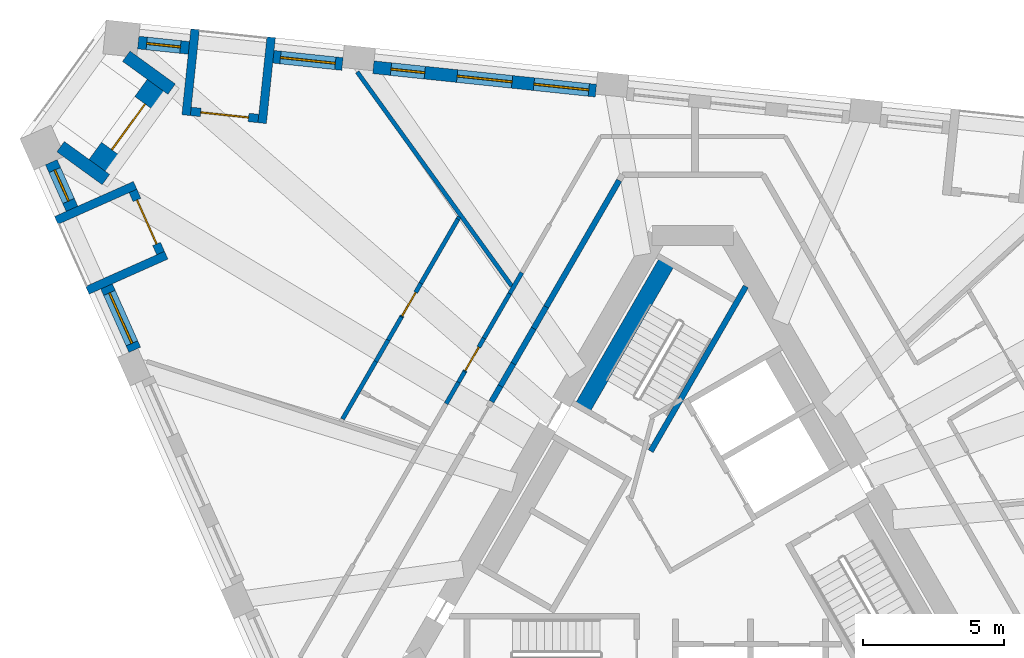
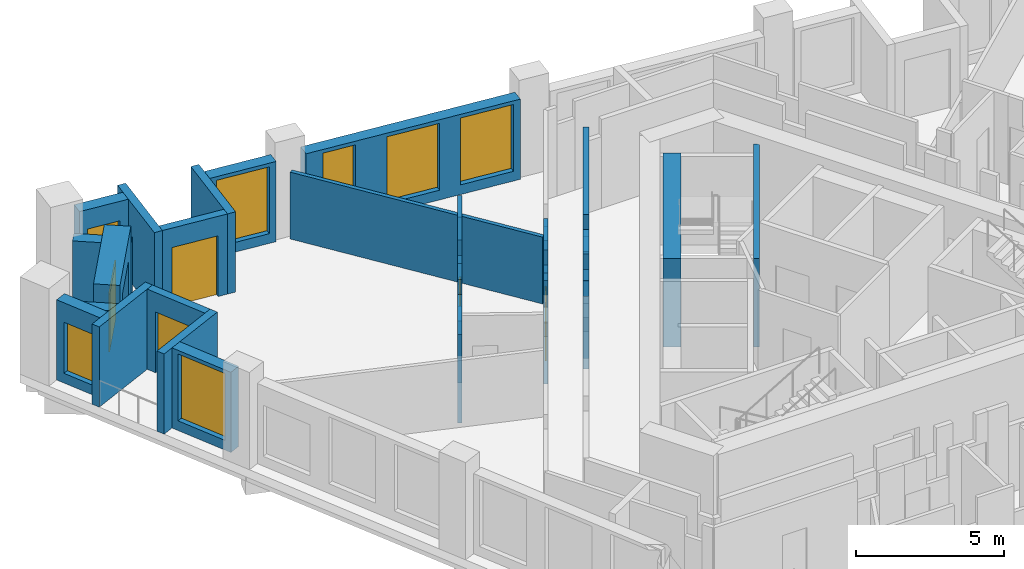
# One storey, part 6 of 11: 33 walls, 7 windows, 5 doors, 12 openings.
"""IFC4 building model written with IfcOpenShell, lengths in metres."""

from ifc_helpers import new_model, si_unit, direction, frame, frame_2d, origin, place, context, subcontext, project, spatial, polyline, rectangle, outline, extrude, material, layer, layer_set, type_object, element, fill, save


model = new_model("IFC4")

# Units and contexts
model_context = context("Model", 3, precision=1e-05, world=origin(), true_north=direction((0.0, 1.0)))
body_context = subcontext(model_context, "Body", "Model", "MODEL_VIEW")
ifc_project = project(units=[si_unit("LENGTHUNIT", "METRE"), si_unit("AREAUNIT", "SQUARE_METRE"), si_unit("VOLUMEUNIT", "CUBIC_METRE"), si_unit("PLANEANGLEUNIT", "RADIAN"), si_unit("MASSUNIT", "GRAM", prefix="KILO")], contexts=[model_context])

# Site, building, storey
site_placement = place(None, origin())
site = spatial("IfcSite", under=ifc_project, at=site_placement, CompositionType="ELEMENT")
building_placement = place(site_placement, origin())
building = spatial("IfcBuilding", under=site, at=building_placement, Name="Tramontana Tower", CompositionType="ELEMENT")
storey_placement = place(building_placement, frame((0.0, 0.0, 241.199951171875)))
storey = spatial("IfcBuildingStorey", under=building, at=storey_placement, Name="L56", CompositionType="ELEMENT", Elevation=241.199951171875)

# Walls
ifc_material_1 = material(Name="Blockwork", Category="masonry")
ifc_layer_1 = layer(ifc_material_1, 0.199951171875)
ifc_layer_set_1 = layer_set([ifc_layer_1], Name="ENTRY WALL 200")
wall_type_1 = type_object("IfcWallType", Name="ENTRY WALL 200", PredefinedType="SOLIDWALL", material=ifc_layer_set_1)
wall_1_placement = place(storey_placement, frame((-7.11181640625, 4.78173828125, 0.0), z_axis=(0.0, 0.0, 1.0), x_axis=(0.499956208541, 0.866050685319, 0.0)))
element("IfcWall", 1, at=wall_1_placement, inside=storey, type_object=wall_type_1, Name="Wall v60-ew3-6", PredefinedType="SOLIDWALL", context=body_context, shape_type="SweptSolid", body=[
    extrude(rectangle(XDim=0.6328125, YDim=0.199951171875, at=frame_2d((0.31640625, 0.0))), origin(), (0.0, 0.0, 1.0), 3.650146484375),
])
wall_2_placement = place(storey_placement, frame((-6.79541015625, 5.329833984375, 0.0), z_axis=(0.0, 0.0, 1.0), x_axis=(0.499975954304, 0.866039286129, 0.0)))
element("IfcWall", 2, at=wall_2_placement, inside=storey, type_object=wall_type_1, Name="Wall v60-ew3-7", PredefinedType="SOLIDWALL", context=body_context, shape_type="SweptSolid", body=[
    extrude(rectangle(XDim=0.9169921875, YDim=0.199951171875, at=frame_2d((0.45849609375, 0.0))), origin(), (0.0, 0.0, 1.0), 2.550048828125),
])
wall_3_placement = place(storey_placement, frame((-6.3369140625, 6.1240234375, 0.0), z_axis=(0.0, 0.0, 1.0), x_axis=(0.499904796234, 0.866080362727, 0.0)))
element("IfcWall", 3, at=wall_3_placement, inside=storey, type_object=wall_type_1, Name="Wall v60-ew3-8", PredefinedType="SOLIDWALL", context=body_context, shape_type="SweptSolid", body=[
    extrude(rectangle(XDim=1.429443359375, YDim=0.199951171875, at=frame_2d((0.71484375, 0.0))), origin(), (0.0, 0.0, 1.0), 3.650146484375),
])
wall_4_placement = place(storey_placement, frame((-5.622314453125, 7.362060546875, 0.0), z_axis=(0.0, 0.0, 1.0), x_axis=(0.500121072013, 0.86595549154, 0.0)))
element("IfcWall", 4, at=wall_4_placement, inside=storey, type_object=wall_type_1, Name="Wall v60-ew3-9", PredefinedType="SOLIDWALL", context=body_context, shape_type="SweptSolid", body=[
    extrude(rectangle(XDim=0.883544921875, YDim=0.199951171875, at=frame_2d((0.44189453125, 0.0))), origin(), (0.0, 0.0, 1.0), 2.75),
])
wall_5_placement = place(storey_placement, frame((-5.180419921875, 8.127197265625, 0.0), z_axis=(0.0, 0.0, 1.0), x_axis=(0.499995433041, 0.866028040503, 0.0)))
element("IfcWall", 5, at=wall_5_placement, inside=storey, type_object=wall_type_1, Name="Wall v60-ew3-10", PredefinedType="SOLIDWALL", context=body_context, shape_type="SweptSolid", body=[
    extrude(rectangle(XDim=5.1611328125, YDim=0.199951171875, at=frame_2d((2.58056640625, 0.0))), origin(), (0.0, 0.0, 1.0), 3.650146484375),
])

# Wall, opening, window
ifc_material_2 = material(Name="Precast concrete 60 MPa", Category="concrete")
ifc_layer_2 = layer(ifc_material_2, 0.449951171875)
ifc_layer_set_2 = layer_set([ifc_layer_2], Name="Precast concrete 60 MPa, 450 mm")
wall_type_2 = type_object("IfcWallType", Name="EW1 Stone-faced precast wall 450", PredefinedType="SOLIDWALL", material=ifc_layer_set_2)
wall_6_placement = place(storey_placement, frame((-22.67041015625, 13.240478515625, 0.0), z_axis=(0.0, 0.0, 1.0), x_axis=(0.406779346191, -0.913526443795, 0.0)))
wall_6 = element("IfcWall", 6, at=wall_6_placement, inside=storey, type_object=wall_type_2, Name="External wall L56 face 0 bay 1", PredefinedType="SOLIDWALL", context=body_context, shape_type="SweptSolid", body=[
    extrude(rectangle(XDim=1.80224609375, YDim=0.449951171875, at=frame_2d((0.901123046875, 0.0))), origin(), (0.0, 0.0, 1.0), 3.300048828125),
])
opening_1_placement = place(wall_6_placement, frame((0.301025390625, 0.0, 0.39990234375)))
opening_1 = element("IfcOpeningElement", 7, at=opening_1_placement, cuts=wall_6, Name="Opening N3L", PredefinedType="OPENING", context=body_context, shape_type="SweptSolid", body=[
    extrude(rectangle(XDim=1.199951171875, YDim=2.10009765625, at=frame_2d((0.60009765625, 1.050048828125))), frame((0.0, 0.23486328125, 0.0), z_axis=(0.0, -1.0, 0.0), x_axis=(1.0, 0.0, 0.0)), (0.0, 0.0, 1.0), 0.469970703125),
])
ifc_material_3 = material(Name="Aluminum frame, double glazing unit", Category="aluminium")
window_type_1 = type_object("IfcWindowType", Name="N3L Window 1.2 x 2.1", PartitioningType="SINGLE_PANEL", PredefinedType="WINDOW", material=ifc_material_3)
window_1_placement = place(opening_1_placement, origin())
window_1 = element("IfcWindow", 8, at=window_1_placement, inside=storey, type_object=window_type_1, Name="Window N3L L56 face 0 module 1", OverallHeight=2.10009765625, OverallWidth=1.199951171875, PartitioningType="SINGLE_PANEL", PredefinedType="WINDOW", context=body_context, shape_type="SweptSolid", body=[
    extrude(rectangle(XDim=1.199951171875, YDim=2.10009765625, at=frame_2d((0.60009765625, 1.050048828125))), frame((0.0, 0.030029296875, 0.0), z_axis=(0.0, -1.0, 0.0), x_axis=(1.0, 0.0, 0.0)), (0.0, 0.0, 1.0), 0.06005859375),
])
fill(opening_1, window_1)

wall_7_placement = place(storey_placement, frame((-20.71630859375, 8.851318359375, 0.0), z_axis=(0.0, 0.0, 1.0), x_axis=(0.406821962592, -0.913507466172, 0.0)))
wall_7 = element("IfcWall", 9, at=wall_7_placement, inside=storey, type_object=wall_type_2, Name="External wall L56 face 0 bay 1", PredefinedType="SOLIDWALL", context=body_context, shape_type="SweptSolid", body=[
    extrude(rectangle(XDim=2.4521484375, YDim=0.449951171875, at=frame_2d((1.22607421875, 0.0))), origin(), (0.0, 0.0, 1.0), 3.300048828125),
])
opening_2_placement = place(wall_7_placement, frame((0.251220703125, 0.0, 0.39990234375)))
opening_2 = element("IfcOpeningElement", 10, at=opening_2_placement, cuts=wall_7, Name="Opening M3", PredefinedType="OPENING", context=body_context, shape_type="SweptSolid", body=[
    extrude(rectangle(XDim=1.949951171875, YDim=2.75, at=frame_2d((0.97509765625, 1.375))), frame((0.0, 0.23486328125, 0.0), z_axis=(0.0, -1.0, 0.0), x_axis=(1.0, 0.0, 0.0)), (0.0, 0.0, 1.0), 0.469970703125),
])
ifc_material_4 = material(Name="Aluminum frame, double glazing unit", Category="aluminium")
window_type_2 = type_object("IfcWindowType", Name="M3 Window 1.95 x 2.75", PartitioningType="SINGLE_PANEL", PredefinedType="WINDOW", material=ifc_material_4)
window_2_placement = place(opening_2_placement, origin())
window_2 = element("IfcWindow", 11, at=window_2_placement, inside=storey, type_object=window_type_2, Name="Window M3 L56 face 0 module 3", OverallHeight=2.75, OverallWidth=1.949951171875, PartitioningType="SINGLE_PANEL", PredefinedType="WINDOW", context=body_context, shape_type="SweptSolid", body=[
    extrude(rectangle(XDim=1.949951171875, YDim=2.75, at=frame_2d((0.97509765625, 1.375))), frame((0.0, 0.030029296875, 0.0), z_axis=(0.0, -1.0, 0.0), x_axis=(1.0, 0.0, 0.0)), (0.0, 0.0, 1.0), 0.06005859375),
])
fill(opening_2, window_2)

# Wall, openings, windows
wall_8_placement = place(storey_placement, frame((-3.423828125, 15.769287109375, 0.0), z_axis=(0.0, 0.0, 1.0), x_axis=(-0.994522528385, 0.104522440343, 0.0)))
wall_8 = element("IfcWall", 12, at=wall_8_placement, inside=storey, type_object=wall_type_2, Name="External wall L56 face 2 bay 4", PredefinedType="SOLIDWALL", context=body_context, shape_type="SweptSolid", body=[
    extrude(rectangle(XDim=7.906494140625, YDim=0.449951171875, at=frame_2d((3.953125, 0.0))), origin(), (0.0, 0.0, 1.0), 3.300048828125),
])
opening_3_placement = place(wall_8_placement, frame((0.251220703125, 0.0, 0.39990234375)))
opening_3 = element("IfcOpeningElement", 13, at=opening_3_placement, cuts=wall_8, Name="Opening M3", PredefinedType="OPENING", context=body_context, shape_type="SweptSolid", body=[
    extrude(rectangle(XDim=1.949951171875, YDim=2.75, at=frame_2d((0.97509765625, 1.375))), frame((0.0, 0.23486328125, 0.0), z_axis=(0.0, -1.0, 0.0), x_axis=(1.0, 0.0, 0.0)), (0.0, 0.0, 1.0), 0.469970703125),
])
opening_4_placement = place(wall_8_placement, frame((2.978271484375, 0.0, 0.39990234375)))
opening_4 = element("IfcOpeningElement", 14, at=opening_4_placement, cuts=wall_8, Name="Opening M3", PredefinedType="OPENING", context=body_context, shape_type="SweptSolid", body=[
    extrude(rectangle(XDim=1.949951171875, YDim=2.75, at=frame_2d((0.97509765625, 1.375))), frame((0.0, 0.23486328125, 0.0), z_axis=(0.0, -1.0, 0.0), x_axis=(1.0, 0.0, 0.0)), (0.0, 0.0, 1.0), 0.469970703125),
])
opening_5_placement = place(wall_8_placement, frame((6.08056640625, 0.0, 0.39990234375)))
opening_5 = element("IfcOpeningElement", 15, at=opening_5_placement, cuts=wall_8, Name="Opening N3", PredefinedType="OPENING", context=body_context, shape_type="SweptSolid", body=[
    extrude(rectangle(XDim=1.199951171875, YDim=2.75, at=frame_2d((0.60009765625, 1.375))), frame((0.0, 0.23486328125, 0.0), z_axis=(0.0, -1.0, 0.0), x_axis=(1.0, 0.0, 0.0)), (0.0, 0.0, 1.0), 0.469970703125),
])
window_3_placement = place(opening_3_placement, origin())
window_3 = element("IfcWindow", 16, at=window_3_placement, inside=storey, type_object=window_type_2, Name="Window M3 L56 face 2 module 10", OverallHeight=2.75, OverallWidth=1.949951171875, PartitioningType="SINGLE_PANEL", PredefinedType="WINDOW", context=body_context, shape_type="SweptSolid", body=[
    extrude(rectangle(XDim=1.949951171875, YDim=2.75, at=frame_2d((0.97509765625, 1.375))), frame((0.0, 0.030029296875, 0.0), z_axis=(0.0, -1.0, 0.0), x_axis=(1.0, 0.0, 0.0)), (0.0, 0.0, 1.0), 0.06005859375),
])
fill(opening_3, window_3)
window_4_placement = place(opening_4_placement, origin())
window_4 = element("IfcWindow", 17, at=window_4_placement, inside=storey, type_object=window_type_2, Name="Window M3 L56 face 2 module 11", OverallHeight=2.75, OverallWidth=1.949951171875, PartitioningType="SINGLE_PANEL", PredefinedType="WINDOW", context=body_context, shape_type="SweptSolid", body=[
    extrude(rectangle(XDim=1.949951171875, YDim=2.75, at=frame_2d((0.97509765625, 1.375))), frame((0.0, 0.030029296875, 0.0), z_axis=(0.0, -1.0, 0.0), x_axis=(1.0, 0.0, 0.0)), (0.0, 0.0, 1.0), 0.06005859375),
])
fill(opening_4, window_4)
ifc_material_5 = material(Name="Aluminum frame, double glazing unit", Category="aluminium")
window_type_3 = type_object("IfcWindowType", Name="N3 Window 1.2 x 2.75", PartitioningType="SINGLE_PANEL", PredefinedType="WINDOW", material=ifc_material_5)
window_5_placement = place(opening_5_placement, origin())
window_5 = element("IfcWindow", 18, at=window_5_placement, inside=storey, type_object=window_type_3, Name="Window N3 L56 face 2 module 12", OverallHeight=2.75, OverallWidth=1.199951171875, PartitioningType="SINGLE_PANEL", PredefinedType="WINDOW", context=body_context, shape_type="SweptSolid", body=[
    extrude(rectangle(XDim=1.199951171875, YDim=2.75, at=frame_2d((0.60009765625, 1.375))), frame((0.0, 0.030029296875, 0.0), z_axis=(0.0, -1.0, 0.0), x_axis=(1.0, 0.0, 0.0)), (0.0, 0.0, 1.0), 0.06005859375),
])
fill(opening_5, window_5)

# Wall, opening, window
wall_9_placement = place(storey_placement, frame((-12.381103515625, 16.710693359375, 0.0), z_axis=(0.0, 0.0, 1.0), x_axis=(-0.994520717537, 0.104539668977, 0.0)))
wall_9 = element("IfcWall", 19, at=wall_9_placement, inside=storey, type_object=wall_type_2, Name="External wall L56 face 2 bay 5", PredefinedType="SOLIDWALL", context=body_context, shape_type="SweptSolid", body=[
    extrude(rectangle(XDim=2.4521484375, YDim=0.449951171875, at=frame_2d((1.22607421875, 0.0))), origin(), (0.0, 0.0, 1.0), 3.300048828125),
])
opening_6_placement = place(wall_9_placement, frame((0.251220703125, 0.0, 0.39990234375)))
opening_6 = element("IfcOpeningElement", 20, at=opening_6_placement, cuts=wall_9, Name="Opening M3", PredefinedType="OPENING", context=body_context, shape_type="SweptSolid", body=[
    extrude(rectangle(XDim=1.949951171875, YDim=2.75, at=frame_2d((0.97509765625, 1.375))), frame((0.0, 0.23486328125, 0.0), z_axis=(0.0, -1.0, 0.0), x_axis=(1.0, 0.0, 0.0)), (0.0, 0.0, 1.0), 0.469970703125),
])
window_6_placement = place(opening_6_placement, origin())
window_6 = element("IfcWindow", 21, at=window_6_placement, inside=storey, type_object=window_type_2, Name="Window M3 L56 face 2 module 13", OverallHeight=2.75, OverallWidth=1.949951171875, PartitioningType="SINGLE_PANEL", PredefinedType="WINDOW", context=body_context, shape_type="SweptSolid", body=[
    extrude(rectangle(XDim=1.949951171875, YDim=2.75, at=frame_2d((0.97509765625, 1.375))), frame((0.0, 0.030029296875, 0.0), z_axis=(0.0, -1.0, 0.0), x_axis=(1.0, 0.0, 0.0)), (0.0, 0.0, 1.0), 0.06005859375),
])
fill(opening_6, window_6)

wall_10_placement = place(storey_placement, frame((-17.8056640625, 17.28076171875, 0.0), z_axis=(0.0, 0.0, 1.0), x_axis=(-0.994515840559, 0.104586054885, 0.0)))
wall_10 = element("IfcWall", 22, at=wall_10_placement, inside=storey, type_object=wall_type_2, Name="External wall L56 face 2 bay 5", PredefinedType="SOLIDWALL", context=body_context, shape_type="SweptSolid", body=[
    extrude(rectangle(XDim=1.802001953125, YDim=0.449951171875, at=frame_2d((0.90087890625, 0.0))), origin(), (0.0, 0.0, 1.0), 3.300048828125),
])
opening_7_placement = place(wall_10_placement, frame((0.301025390625, 0.0, 0.39990234375)))
opening_7 = element("IfcOpeningElement", 23, at=opening_7_placement, cuts=wall_10, Name="Opening N3L", PredefinedType="OPENING", context=body_context, shape_type="SweptSolid", body=[
    extrude(rectangle(XDim=1.199951171875, YDim=2.10009765625, at=frame_2d((0.60009765625, 1.050048828125))), frame((0.0, 0.23486328125, 0.0), z_axis=(0.0, -1.0, 0.0), x_axis=(1.0, 0.0, 0.0)), (0.0, 0.0, 1.0), 0.469970703125),
])
window_7_placement = place(opening_7_placement, origin())
window_7 = element("IfcWindow", 24, at=window_7_placement, inside=storey, type_object=window_type_1, Name="Window N3L L56 face 2 module 15", OverallHeight=2.10009765625, OverallWidth=1.199951171875, PartitioningType="SINGLE_PANEL", PredefinedType="WINDOW", context=body_context, shape_type="SweptSolid", body=[
    extrude(rectangle(XDim=1.199951171875, YDim=2.10009765625, at=frame_2d((0.60009765625, 1.050048828125))), frame((0.0, 0.030029296875, 0.0), z_axis=(0.0, -1.0, 0.0), x_axis=(1.0, 0.0, 0.0)), (0.0, 0.0, 1.0), 0.06005859375),
])
fill(opening_7, window_7)

# Walls
for number, where, z_axis, x_axis, name in (
    (25, (-22.34033203125, 13.7900390625, 0.0), (0.0, 0.0, 1.0), (0.809040012586, -0.587753569138, 0.0), "Corner loggia side wall L56 K60l"),
    (26, (-20.0185546875, 16.985595703125, 0.0), (0.0, 0.0, 1.0), (0.809040012586, -0.587753569138, 0.0), "Corner loggia side wall L56 K60r"),
):
    element("IfcWall", number, at=place(storey_placement, frame(where, z_axis=z_axis, x_axis=x_axis)), inside=storey, type_object=wall_type_2, Name=name, PredefinedType="SOLIDWALL", context=body_context, shape_type="SweptSolid", body=[
        extrude(rectangle(XDim=1.979248046875, YDim=0.449951171875, at=frame_2d((0.98974609375, 0.0))), origin(), (0.0, 0.0, 1.0), 2.550048828125),
    ])

# Wall, opening, door
ifc_material_6 = material(Name="Precast concrete 60 MPa", Category="concrete")
ifc_layer_3 = layer(ifc_material_6, 0.89990234375)
ifc_layer_set_3 = layer_set([ifc_layer_3], Name="EW2 Stone-faced corner loggia wall 900")
wall_type_3 = type_object("IfcWallType", Name="EW2 Stone-faced corner loggia wall 900", PredefinedType="SOLIDWALL", material=ifc_layer_set_3)
wall_11_placement = place(storey_placement, frame((-20.970947265625, 13.0732421875, 0.0), z_axis=(0.0, 0.0, 1.0), x_axis=(0.587810807352, 0.808998426921, 0.0)))
wall_11 = element("IfcWall", 27, at=wall_11_placement, inside=storey, type_object=wall_type_3, Name="Corner loggia wall L56 K60", PredefinedType="SOLIDWALL", context=body_context, shape_type="SweptSolid", body=[
    extrude(rectangle(XDim=3.5, YDim=0.89990234375, at=frame_2d((1.75, 0.0))), origin(), (0.0, 0.0, 1.0), 3.300048828125),
])
opening_8_placement = place(wall_11_placement, frame((0.75, 0.0, 0.0)))
opening_8 = element("IfcOpeningElement", 28, at=opening_8_placement, cuts=wall_11, Name="Opening BD-60C", PredefinedType="OPENING", context=body_context, shape_type="SweptSolid", body=[
    extrude(rectangle(XDim=2.0, YDim=2.39990234375, at=frame_2d((1.0, 1.199951171875))), frame((0.0, 0.4599609375, 0.0), z_axis=(0.0, -1.0, 0.0), x_axis=(1.0, 0.0, 0.0)), (0.0, 0.0, 1.0), 0.919921875),
])
ifc_material_7 = material(Name="Aluminum frame, double glazing unit", Category="aluminium")
door_type_1 = type_object("IfcDoorType", Name="BC1 Sliding door 2 x 2.4", OperationType="SLIDING_TO_LEFT", PredefinedType="DOOR", material=ifc_material_7)
door_1_placement = place(opening_8_placement, origin())
door_1 = element("IfcDoor", 29, at=door_1_placement, inside=storey, type_object=door_type_1, Name="Corner loggia door L56 K60", OperationType="SLIDING_TO_LEFT", OverallHeight=2.39990234375, OverallWidth=2.0, PredefinedType="DOOR", context=body_context, shape_type="SweptSolid", body=[
    extrude(rectangle(XDim=2.0, YDim=2.39990234375, at=frame_2d((1.0, 1.199951171875))), frame((0.0, 0.02490234375, 0.0), z_axis=(0.0, -1.0, 0.0), x_axis=(1.0, 0.0, 0.0)), (0.0, 0.0, 1.0), 0.050048828125),
])
fill(opening_8, door_1)

ifc_material_8 = material(Name="Precast concrete 60 MPa", Category="concrete")
ifc_layer_4 = layer(ifc_material_8, 0.300048828125)
ifc_layer_set_4 = layer_set([ifc_layer_4], Name="LW1 Stone-faced loggia wall 300")
wall_type_4 = type_object("IfcWallType", Name="LW1 Stone-faced loggia wall 300", PredefinedType="SOLIDWALL", material=ifc_layer_set_4)
wall_12_placement = place(storey_placement, frame((-19.78271484375, 12.22509765625, 0.0), z_axis=(0.0, 0.0, 1.0), x_axis=(0.406723017018, -0.913551524232, 0.0)))
wall_12 = element("IfcWall", 30, at=wall_12_placement, inside=storey, type_object=wall_type_4, Name="Loggia wall L56 G6S0.1", PredefinedType="SOLIDWALL", context=body_context, shape_type="SweptSolid", body=[
    extrude(rectangle(XDim=2.40234375, YDim=0.300048828125, at=frame_2d((1.201171875, 0.0))), origin(), (0.0, 0.0, 1.0), 3.300048828125),
])
opening_9_placement = place(wall_12_placement, frame((0.35107421875, 0.0, 0.0)))
opening_9 = element("IfcOpeningElement", 31, at=opening_9_placement, cuts=wall_12, Name="Opening BD-6S0-01", PredefinedType="OPENING", context=body_context, shape_type="SweptSolid", body=[
    extrude(rectangle(XDim=1.699951171875, YDim=2.5, at=frame_2d((0.85009765625, 1.25))), frame((0.0, 0.159912109375, 0.0), z_axis=(0.0, -1.0, 0.0), x_axis=(1.0, 0.0, 0.0)), (0.0, 0.0, 1.0), 0.320068359375),
])
ifc_material_9 = material(Name="Aluminum frame, double glazing unit", Category="aluminium")
door_type_2 = type_object("IfcDoorType", Name="BD3 Sliding door 1.7 x 2.5", OperationType="SLIDING_TO_LEFT", PredefinedType="DOOR", material=ifc_material_9)
door_2_placement = place(opening_9_placement, origin())
door_2 = element("IfcDoor", 32, at=door_2_placement, inside=storey, type_object=door_type_2, Name="Loggia door L56 G6S0.1", OperationType="SLIDING_TO_LEFT", OverallHeight=2.5, OverallWidth=1.699951171875, PredefinedType="DOOR", context=body_context, shape_type="SweptSolid", body=[
    extrude(rectangle(XDim=1.699951171875, YDim=2.5, at=frame_2d((0.85009765625, 1.25))), frame((0.0, 0.02490234375, 0.0), z_axis=(0.0, -1.0, 0.0), x_axis=(1.0, 0.0, 0.0)), (0.0, 0.0, 1.0), 0.050048828125),
])
fill(opening_9, door_2)

# Walls
wall_13_placement = place(storey_placement, frame((-22.492919921875, 11.1826171875, 0.0), z_axis=(0.0, 0.0, 1.0), x_axis=(0.913557205168, 0.406710256677, 0.0)))
element("IfcWall", 33, at=wall_13_placement, inside=storey, type_object=wall_type_4, Name="Loggia return L56 G6S0.1a", PredefinedType="SOLIDWALL", context=body_context, shape_type="SweptSolid", body=[
    extrude(rectangle(XDim=3.050048828125, YDim=0.300048828125, at=frame_2d((1.52490234375, 0.0))), origin(), (0.0, 0.0, 1.0), 3.300048828125),
])
wall_14_placement = place(storey_placement, frame((-21.393798828125, 8.7138671875, 0.0), z_axis=(0.0, 0.0, 1.0), x_axis=(0.91354396316, 0.406739999721, 0.0)))
element("IfcWall", 34, at=wall_14_placement, inside=storey, type_object=wall_type_4, Name="Loggia return L56 G6S0.1b", PredefinedType="SOLIDWALL", context=body_context, shape_type="SweptSolid", body=[
    extrude(rectangle(XDim=3.0498046875, YDim=0.300048828125, at=frame_2d((1.52490234375, 0.0))), origin(), (0.0, 0.0, 1.0), 3.300048828125),
])

# Wall, opening, door
wall_15_placement = place(storey_placement, frame((-15.350830078125, 14.78564453125, 0.0), z_axis=(0.0, 0.0, 1.0), x_axis=(-0.994526595554, 0.104483734311, 0.0)))
wall_15 = element("IfcWall", 35, at=wall_15_placement, inside=storey, type_object=wall_type_4, Name="Loggia wall L56 G6S2.13", PredefinedType="SOLIDWALL", context=body_context, shape_type="SweptSolid", body=[
    extrude(rectangle(XDim=2.402099609375, YDim=0.300048828125, at=frame_2d((1.201171875, 0.0))), origin(), (0.0, 0.0, 1.0), 3.300048828125),
])
opening_10_placement = place(wall_15_placement, frame((0.35107421875, 0.0, 0.0)))
opening_10 = element("IfcOpeningElement", 36, at=opening_10_placement, cuts=wall_15, Name="Opening BD-6S2-13", PredefinedType="OPENING", context=body_context, shape_type="SweptSolid", body=[
    extrude(rectangle(XDim=1.699951171875, YDim=2.5, at=frame_2d((0.85009765625, 1.25))), frame((0.0, 0.159912109375, 0.0), z_axis=(0.0, -1.0, 0.0), x_axis=(1.0, 0.0, 0.0)), (0.0, 0.0, 1.0), 0.320068359375),
])
door_3_placement = place(opening_10_placement, origin())
door_3 = element("IfcDoor", 37, at=door_3_placement, inside=storey, type_object=door_type_2, Name="Loggia door L56 G6S2.13", OperationType="SLIDING_TO_LEFT", OverallHeight=2.5, OverallWidth=1.699951171875, PredefinedType="DOOR", context=body_context, shape_type="SweptSolid", body=[
    extrude(rectangle(XDim=1.699951171875, YDim=2.5, at=frame_2d((0.85009765625, 1.25))), frame((0.0, 0.02490234375, 0.0), z_axis=(0.0, -1.0, 0.0), x_axis=(1.0, 0.0, 0.0)), (0.0, 0.0, 1.0), 0.050048828125),
])
fill(opening_10, door_3)

# Walls
wall_16_placement = place(storey_placement, frame((-14.8984375, 17.654052734375, 0.0), z_axis=(0.0, 0.0, 1.0), x_axis=(-0.104543108891, -0.994520355942, 0.0)))
element("IfcWall", 38, at=wall_16_placement, inside=storey, type_object=wall_type_4, Name="Loggia return L56 G6S2.13a", PredefinedType="SOLIDWALL", context=body_context, shape_type="SweptSolid", body=[
    extrude(rectangle(XDim=3.0498046875, YDim=0.300048828125, at=frame_2d((1.52490234375, 0.0))), origin(), (0.0, 0.0, 1.0), 3.300048828125),
])
wall_17_placement = place(storey_placement, frame((-17.5859375, 17.9365234375, 0.0), z_axis=(0.0, 0.0, 1.0), x_axis=(-0.104534786906, -0.994521230707, 0.0)))
element("IfcWall", 39, at=wall_17_placement, inside=storey, type_object=wall_type_4, Name="Loggia return L56 G6S2.13b", PredefinedType="SOLIDWALL", context=body_context, shape_type="SweptSolid", body=[
    extrude(rectangle(XDim=3.050048828125, YDim=0.300048828125, at=frame_2d((1.52490234375, 0.0))), origin(), (0.0, 0.0, 1.0), 3.300048828125),
])
ifc_material_10 = material(Name="Gypsum board partition")
ifc_layer_5 = layer(ifc_material_10, 0.14990234375)
ifc_layer_set_5 = layer_set([ifc_layer_5], Name="PARTITION 150")
wall_type_5 = type_object("IfcWallType", Name="PARTITION 150", PredefinedType="PARTITIONING", material=ifc_layer_set_5)
wall_18_placement = place(storey_placement, frame((-8.714111328125, 4.70654296875, 0.0), z_axis=(0.0, 0.0, 1.0), x_axis=(0.499859285417, 0.866106630146, 0.0)))
element("IfcWall", 40, at=wall_18_placement, inside=storey, type_object=wall_type_5, Name="Wall v60-pw00-5", PredefinedType="PARTITIONING", context=body_context, shape_type="SweptSolid", body=[
    extrude(rectangle(XDim=0.875244140625, YDim=0.14990234375, at=frame_2d((0.4375, 0.0))), origin(), (0.0, 0.0, 1.0), 2.550048828125),
])
wall_19_placement = place(storey_placement, frame((-8.276611328125, 5.464599609375, 0.0), z_axis=(0.0, 0.0, 1.0), x_axis=(0.500116443366, 0.865958164737, 0.0)))
element("IfcWall", 41, at=wall_19_placement, inside=storey, type_object=wall_type_5, Name="Wall v60-pw00-6", PredefinedType="PARTITIONING", context=body_context, shape_type="SweptSolid", body=[
    extrude(rectangle(XDim=0.42919921875, YDim=0.14990234375, at=frame_2d((0.214599609375, 0.0))), origin(), (0.0, 0.0, 1.0), 3.650146484375),
])

# Wall, opening, door
wall_20_placement = place(storey_placement, frame((-8.06201171875, 5.836181640625, 0.0), z_axis=(0.0, 0.0, 1.0), x_axis=(0.499970382458, 0.866042502805, 0.0)))
wall_20 = element("IfcWall", 42, at=wall_20_placement, inside=storey, type_object=wall_type_5, Name="Wall v60-pw00-7", PredefinedType="PARTITIONING", context=body_context, shape_type="SweptSolid", body=[
    extrude(outline(polyline([(0.0, 0.0), (1.36376953125, 0.0), (1.364013671875, 2.550048828125), (0.47216796875, 2.550048828125), (0.47216796875, 3.650146484375), (0.0, 3.650146484375), (0.0, 0.0)])), frame((0.0, 0.074951171875, 0.0), z_axis=(0.0, -1.0, 0.0), x_axis=(1.0, 0.0, 0.0)), (0.0, 0.0, 1.0), 0.14990234375),
])
opening_11_placement = place(wall_20_placement, frame((0.050048828125, 0.0, 0.0)))
opening_11 = element("IfcOpeningElement", 43, at=opening_11_placement, cuts=wall_20, Name="Opening B6A-01", PredefinedType="OPENING", context=body_context, shape_type="SweptSolid", body=[
    extrude(rectangle(XDim=0.949951171875, YDim=2.39990234375, at=frame_2d((0.47509765625, 1.199951171875))), frame((0.0, 0.0849609375, 0.0), z_axis=(0.0, -1.0, 0.0), x_axis=(1.0, 0.0, 0.0)), (0.0, 0.0, 1.0), 0.169921875),
])
ifc_material_11 = material(Name="Painted timber", Category="wood")
door_type_3 = type_object("IfcDoorType", Name="DOOR ROOM 950", OperationType="SINGLE_SWING_LEFT", PredefinedType="DOOR", material=ifc_material_11)
door_4_placement = place(opening_11_placement, origin())
door_4 = element("IfcDoor", 44, at=door_4_placement, inside=storey, type_object=door_type_3, Name="Door B6A-01", OperationType="SINGLE_SWING_LEFT", OverallHeight=2.39990234375, OverallWidth=0.949951171875, PredefinedType="DOOR", context=body_context, shape_type="SweptSolid", body=[
    extrude(rectangle(XDim=0.949951171875, YDim=2.39990234375, at=frame_2d((0.47509765625, 1.199951171875))), frame((0.0, 0.02490234375, 0.0), z_axis=(0.0, -1.0, 0.0), x_axis=(1.0, 0.0, 0.0)), (0.0, 0.0, 1.0), 0.050048828125),
])
fill(opening_11, door_4)

# Walls
wall_21_placement = place(storey_placement, frame((-7.380126953125, 7.017333984375, 0.0), z_axis=(0.0, 0.0, 1.0), x_axis=(0.500012159746, 0.866018383238, 0.0)))
element("IfcWall", 45, at=wall_21_placement, inside=storey, type_object=wall_type_5, Name="Wall v60-pw00-8", PredefinedType="PARTITIONING", context=body_context, shape_type="SweptSolid", body=[
    extrude(rectangle(XDim=1.82373046875, YDim=0.14990234375, at=frame_2d((0.911865234375, 0.0))), origin(), (0.0, 0.0, 1.0), 3.650146484375),
])
wall_22_placement = place(storey_placement, frame((-6.46826171875, 8.5966796875, 0.0), z_axis=(0.0, 0.0, 1.0), x_axis=(0.500035209441, 0.86600507465, 0.0)))
element("IfcWall", 46, at=wall_22_placement, inside=storey, type_object=wall_type_5, Name="Wall v60-pw00-9", PredefinedType="PARTITIONING", context=body_context, shape_type="SweptSolid", body=[
    extrude(rectangle(XDim=0.85595703125, YDim=0.14990234375, at=frame_2d((0.427978515625, 0.0))), origin(), (0.0, 0.0, 1.0), 2.75),
])
wall_23_placement = place(storey_placement, frame((-12.376220703125, 4.16357421875, 0.0), z_axis=(0.0, 0.0, 1.0), x_axis=(0.499998569178, 0.866026229868, 0.0)))
element("IfcWall", 47, at=wall_23_placement, inside=storey, type_object=wall_type_5, Name="Wall v60-pw01-1", PredefinedType="PARTITIONING", context=body_context, shape_type="SweptSolid", body=[
    extrude(rectangle(XDim=2.34716796875, YDim=0.14990234375, at=frame_2d((1.173583984375, 0.0))), origin(), (0.0, 0.0, 1.0), 3.650146484375),
])
wall_24_placement = place(storey_placement, frame((-11.20263671875, 6.1962890625, 0.0), z_axis=(0.0, 0.0, 1.0), x_axis=(0.499980071345, 0.866036909293, 0.0)))
element("IfcWall", 48, at=wall_24_placement, inside=storey, type_object=wall_type_5, Name="Wall v60-pw01-2", PredefinedType="PARTITIONING", context=body_context, shape_type="SweptSolid", body=[
    extrude(rectangle(XDim=0.875, YDim=0.14990234375, at=frame_2d((0.4375, 0.0))), origin(), (0.0, 0.0, 1.0), 2.550048828125),
])
wall_25_placement = place(storey_placement, frame((-10.76513671875, 6.9541015625, 0.0), z_axis=(0.0, 0.0, 1.0), x_axis=(0.499841962787, 0.866116627388, 0.0)))
element("IfcWall", 49, at=wall_25_placement, inside=storey, type_object=wall_type_5, Name="Wall v60-pw01-3", PredefinedType="PARTITIONING", context=body_context, shape_type="SweptSolid", body=[
    extrude(rectangle(XDim=0.943115234375, YDim=0.14990234375, at=frame_2d((0.4716796875, 0.0))), origin(), (0.0, 0.0, 1.0), 3.650146484375),
])

# Wall, opening, door
wall_26_placement = place(storey_placement, frame((-10.293701171875, 7.77099609375, 0.0), z_axis=(0.0, 0.0, 1.0), x_axis=(0.500117582512, 0.865957506846, 0.0)))
wall_26 = element("IfcWall", 50, at=wall_26_placement, inside=storey, type_object=wall_type_5, Name="Wall v60-pw01-4", PredefinedType="PARTITIONING", context=body_context, shape_type="SweptSolid", body=[
    extrude(outline(polyline([(0.0, 0.0), (1.372802734375, 0.0), (1.372802734375, 2.550048828125), (0.48095703125, 2.550048828125), (0.48095703125, 3.650146484375), (0.0, 3.650146484375), (0.0, 0.0)])), frame((0.0, 0.074951171875, 0.0), z_axis=(0.0, -1.0, 0.0), x_axis=(1.0, 0.0, 0.0)), (0.0, 0.0, 1.0), 0.14990234375),
])
opening_12_placement = place(wall_26_placement, frame((0.050048828125, 0.0, 0.0)))
opening_12 = element("IfcOpeningElement", 51, at=opening_12_placement, cuts=wall_26, Name="Opening B6A-15", PredefinedType="OPENING", context=body_context, shape_type="SweptSolid", body=[
    extrude(rectangle(XDim=0.949951171875, YDim=2.39990234375, at=frame_2d((0.47509765625, 1.199951171875))), frame((0.0, 0.0849609375, 0.0), z_axis=(0.0, -1.0, 0.0), x_axis=(1.0, 0.0, 0.0)), (0.0, 0.0, 1.0), 0.169921875),
])
door_5_placement = place(opening_12_placement, origin())
door_5 = element("IfcDoor", 52, at=door_5_placement, inside=storey, type_object=door_type_3, Name="Door B6A-15", OperationType="SINGLE_SWING_LEFT", OverallHeight=2.39990234375, OverallWidth=0.949951171875, PredefinedType="DOOR", context=body_context, shape_type="SweptSolid", body=[
    extrude(rectangle(XDim=0.949951171875, YDim=2.39990234375, at=frame_2d((0.47509765625, 1.199951171875))), frame((0.0, 0.02490234375, 0.0), z_axis=(0.0, -1.0, 0.0), x_axis=(1.0, 0.0, 0.0)), (0.0, 0.0, 1.0), 0.050048828125),
])
fill(opening_12, door_5)

# Walls
wall_27_placement = place(storey_placement, frame((-9.607177734375, 8.959716796875, 0.0), z_axis=(0.0, 0.0, 1.0), x_axis=(0.49994612994, 0.866056503444, 0.0)))
element("IfcWall", 53, at=wall_27_placement, inside=storey, type_object=wall_type_5, Name="Wall v60-pw01-5", PredefinedType="PARTITIONING", context=body_context, shape_type="SweptSolid", body=[
    extrude(rectangle(XDim=2.614013671875, YDim=0.14990234375, at=frame_2d((1.30712890625, 0.0))), origin(), (0.0, 0.0, 1.0), 3.650146484375),
])
wall_28_placement = place(storey_placement, frame((-8.30029296875, 11.2236328125, 0.0), z_axis=(0.0, 0.0, 1.0), x_axis=(0.501641482138, 0.865075617156, 0.0)))
element("IfcWall", 54, at=wall_28_placement, inside=storey, type_object=wall_type_5, Name="Wall v60-pw01-6", PredefinedType="PARTITIONING", context=body_context, shape_type="SweptSolid", body=[
    extrude(rectangle(XDim=0.095458984375, YDim=0.14990234375, at=frame_2d((0.0478515625, 0.0))), origin(), (0.0, 0.0, 1.0), 2.75),
])
wall_29_placement = place(storey_placement, frame((-11.857666015625, 16.429443359375, 0.0), z_axis=(0.0, 0.0, 1.0), x_axis=(0.585232485498, -0.810865548607, 0.0)))
element("IfcWall", 55, at=wall_29_placement, inside=storey, type_object=wall_type_5, Name="Wall v60-pw02-0", PredefinedType="PARTITIONING", context=body_context, shape_type="SweptSolid", body=[
    extrude(rectangle(XDim=9.3271484375, YDim=0.14990234375, at=frame_2d((4.66357421875, 0.0))), origin(), (0.0, 0.0, 1.0), 2.75),
])
ifc_material_12 = material(Name="Concrete 70 MPa", Category="concrete")
ifc_layer_6 = layer(ifc_material_12, 0.60009765625)
ifc_layer_set_6 = layer_set([ifc_layer_6], Name="Concrete 70 MPa, 600 mm")
wall_type_6 = type_object("IfcWallType", Name="RC SHAFT BACK WALL 600", PredefinedType="SOLIDWALL", material=ifc_layer_set_6)
wall_30_placement = place(storey_placement, frame((-0.85302734375, 9.822509765625, 0.0), z_axis=(0.0, 0.0, 1.0), x_axis=(-0.500009909098, -0.866019682689, 0.0)))
element("IfcWall", 56, at=wall_30_placement, inside=storey, type_object=wall_type_6, Name="Wall st1-back", PredefinedType="SOLIDWALL", context=body_context, shape_type="SweptSolid", body=[
    extrude(rectangle(XDim=6.199951171875, YDim=0.60009765625, at=frame_2d((3.10009765625, 0.0))), origin(), (0.0, 0.0, 1.0), 3.650146484375),
])
ifc_material_13 = material(Name="Concrete 70 MPa", Category="concrete")
ifc_layer_7 = layer(ifc_material_13, 0.199951171875)
ifc_layer_set_7 = layer_set([ifc_layer_7], Name="Concrete 70 MPa, 200 mm")
wall_type_7 = type_object("IfcWallType", Name="RC STAIR AND SHAFT WALL 200", PredefinedType="SOLIDWALL", material=ifc_layer_set_7)
wall_31_placement = place(storey_placement, frame((1.87646484375, 8.85009765625, 0.0), z_axis=(0.0, 0.0, 1.0), x_axis=(-0.499998042495, -0.866026533947, 0.0)))
element("IfcWall", 57, at=wall_31_placement, inside=storey, type_object=wall_type_7, Name="Wall st1-front", PredefinedType="SOLIDWALL", context=body_context, shape_type="SweptSolid", body=[
    extrude(rectangle(XDim=6.72265625, YDim=0.199951171875, at=frame_2d((3.361328125, 0.0))), origin(), (0.0, 0.0, 1.0), 3.650146484375),
])

save(model, "model.ifc")
